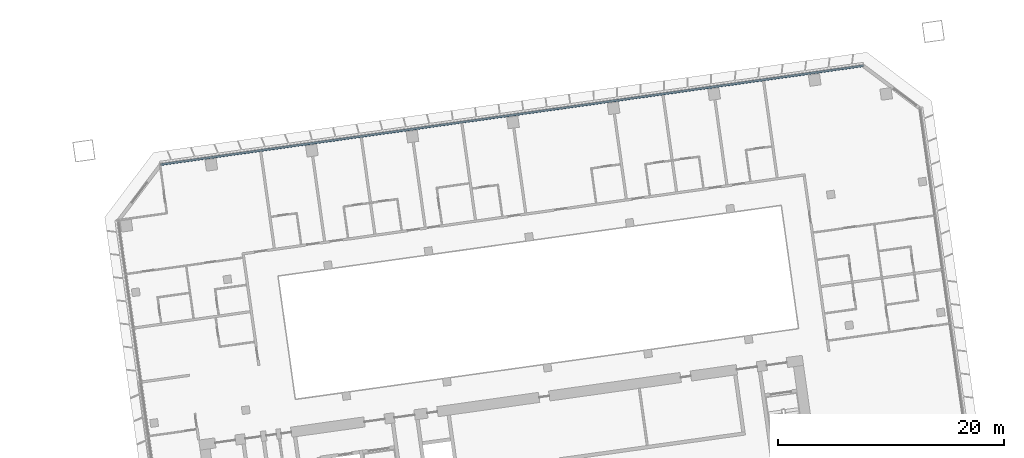
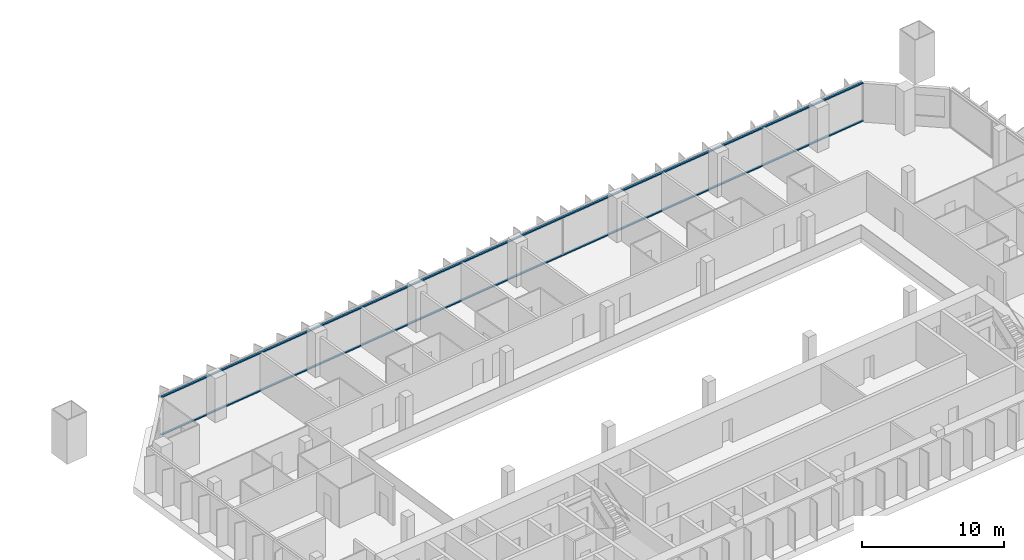
# One storey, part 9 of 24: 2 members, 1 element without a shape of its own.
"""IFC4 building model written with IfcOpenShell, lengths in metres."""

from ifc_helpers import new_model, si_unit, direction, frame, origin, origin_2d, place, context, subcontext, project, spatial, rectangle, extrude, material, material_profile, profile_set, type_object, element, aggregate, save


model = new_model("IFC4")

# Units and contexts
model_context = context("Model", 3, precision=1e-05, world=origin(), true_north=direction((0.0, 1.0)))
body_context = subcontext(model_context, "Body", "Model", "MODEL_VIEW")
ifc_project = project(units=[si_unit("LENGTHUNIT", "METRE"), si_unit("AREAUNIT", "SQUARE_METRE"), si_unit("VOLUMEUNIT", "CUBIC_METRE"), si_unit("PLANEANGLEUNIT", "RADIAN"), si_unit("MASSUNIT", "GRAM", prefix="KILO")], contexts=[model_context])

# Site, building, storey
site_placement = place(None, origin())
site = spatial("IfcSite", under=ifc_project, at=site_placement, CompositionType="ELEMENT")
building_placement = place(site_placement, origin())
building = spatial("IfcBuilding", under=site, at=building_placement, Name="Mirante Cascada Hotel Towers", CompositionType="ELEMENT")
storey_placement = place(building_placement, frame((0.0, 0.0, 43.3)))
storey = spatial("IfcBuildingStorey", under=building, at=storey_placement, Name="L07", CompositionType="ELEMENT", Elevation=43.3)

# Curtain wall, members
ifc_material_1 = material(Name="Aluminium mullion and transom frame with clear laminated glass", Category="aluminium")
curtain_wall_type = type_object("IfcCurtainWallType", Name="Ribbon curtain wall ECW1", PredefinedType="NOTDEFINED", material=ifc_material_1)
curtain_wall_placement = place(storey_placement, origin())
curtain_wall = element("IfcCurtainWall", 1, at=curtain_wall_placement, inside=storey, type_object=curtain_wall_type, Name="Front ribbon wall T2 L07", PredefinedType="NOTDEFINED")
ifc_material_2 = material(Name="Anodised aluminium extrusion", Category="aluminium")
ifc_material_profile = material_profile(ifc_material_2, rectangle(XDim=0.16, YDim=0.1, at=origin_2d()), Name="ECW1 TRANSOM 100x160")
ifc_profile_set = profile_set([ifc_material_profile], Name="Anodised aluminium extrusion")
member_type = type_object("IfcMemberType", Name="ECW1 transom 100x160", PredefinedType="USERDEFINED", material=ifc_profile_set)
member_1_placement = place(storey_placement, frame((94.1582, 26.0521, 0.05), z_axis=(-0.9902681, -0.1391728, 0.0), x_axis=(0.1391728, -0.9902681, 0.0)))
member_1 = element("IfcMember", 2, at=member_1_placement, type_object=member_type, Name="ECW1 sill transom", ObjectType="TRANSOM", PredefinedType="USERDEFINED", context=body_context, shape_type="SweptSolid", body=[
    extrude(rectangle(XDim=0.16, YDim=0.1, at=origin_2d()), origin(), (0.0, 0.0, 1.0), 62.8758),
])
member_2_placement = place(storey_placement, frame((94.1582, 26.0521, 3.3), z_axis=(-0.9902681, -0.1391728, 0.0), x_axis=(0.1391728, -0.9902681, 0.0)))
member_2 = element("IfcMember", 3, at=member_2_placement, type_object=member_type, Name="ECW1 head transom", ObjectType="TRANSOM", PredefinedType="USERDEFINED", context=body_context, shape_type="SweptSolid", body=[
    extrude(rectangle(XDim=0.16, YDim=0.1, at=origin_2d()), origin(), (0.0, 0.0, 1.0), 62.8758),
])
aggregate(curtain_wall, [member_1, member_2])

save(model, "model.ifc")
